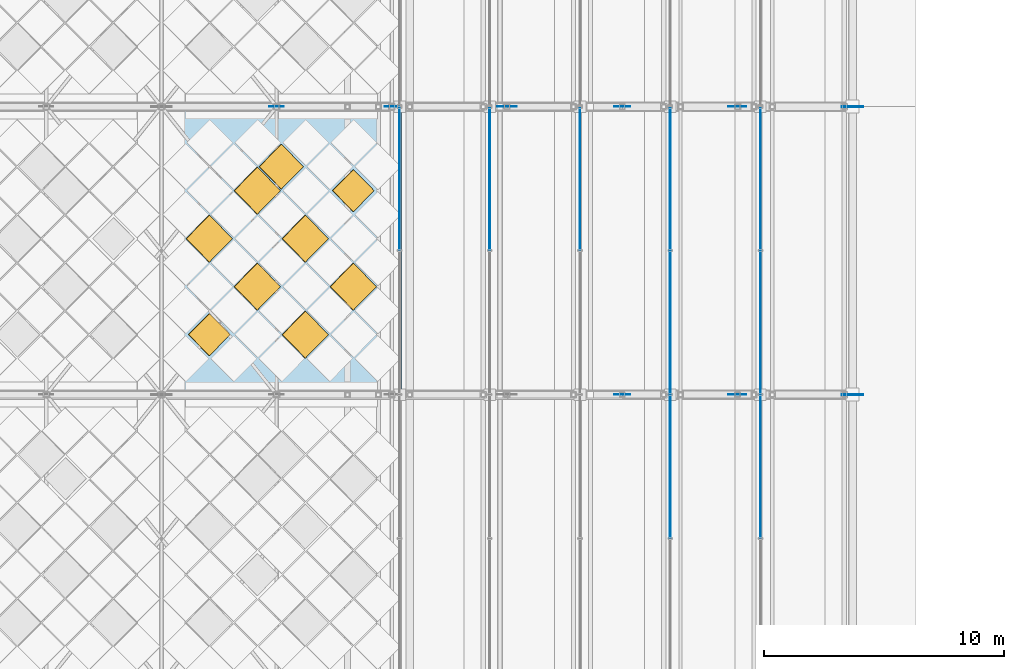
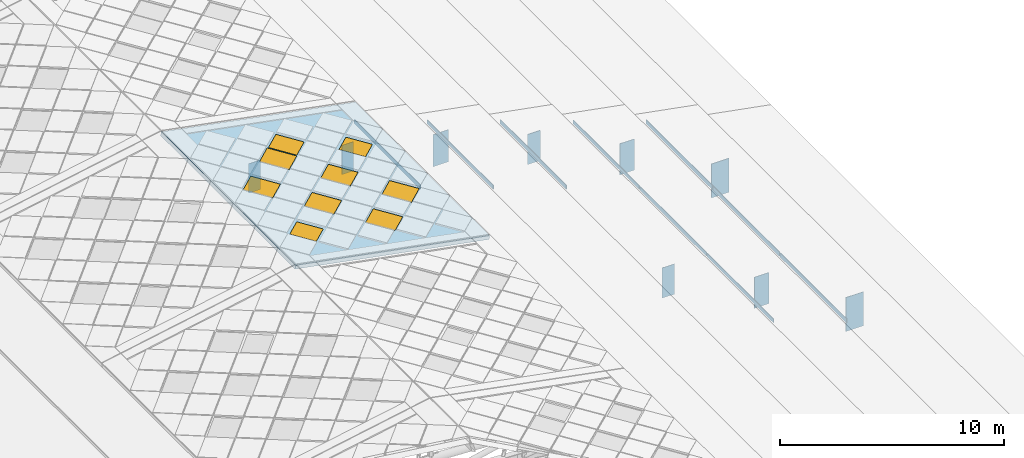
# One storey, part 92 of 117: 18 plates, 9 windows, 1 slab, 9 openings, 5 elements without a shape of their own.
"""IFC4 building model written with IfcOpenShell, lengths in metres."""

from ifc_helpers import new_model, si_unit, direction, frame, origin, origin_2d, place, context, subcontext, project, spatial, polyline, rectangle, outline, extrude, material, layer, layer_set, type_object, element, fill, aggregate, save


model = new_model("IFC4")

# Units and contexts
model_context = context("Model", 3, precision=1e-05, world=origin(), true_north=direction((0.0, 1.0)))
body_context = subcontext(model_context, "Body", "Model", "MODEL_VIEW")
ifc_project = project(units=[si_unit("LENGTHUNIT", "METRE"), si_unit("AREAUNIT", "SQUARE_METRE"), si_unit("VOLUMEUNIT", "CUBIC_METRE"), si_unit("PLANEANGLEUNIT", "RADIAN"), si_unit("MASSUNIT", "GRAM", prefix="KILO")], contexts=[model_context])

# Site, building, storey
site_placement = place(None, origin())
site = spatial("IfcSite", under=ifc_project, at=site_placement, CompositionType="ELEMENT")
building_placement = place(site_placement, origin())
building = spatial("IfcBuilding", under=site, at=building_placement, Name="Merenkruunu Market Hall", CompositionType="ELEMENT")
storey_placement = place(building_placement, frame((0.0, 0.0, 22.800048828125)))
storey = spatial("IfcBuildingStorey", under=building, at=storey_placement, Name="RF", CompositionType="ELEMENT", Elevation=22.800048828125)

# Curtain wall, plates
ifc_material_1 = material(Name="Powder-coated aluminium", Category="aluminium")
curtain_wall_type = type_object("IfcCurtainWallType", Name="Clerestory Curtain Band CL05", PredefinedType="USERDEFINED", material=ifc_material_1)
curtain_wall_1_placement = place(storey_placement, origin())
curtain_wall_1 = element("IfcCurtainWall", 1, at=curtain_wall_1_placement, inside=storey, type_object=curtain_wall_type, Name="CW-RF-CWM04-084", ObjectType="CLERESTORY_BAND", PredefinedType="USERDEFINED")
ifc_material_2 = material(Name="Triple low-E insulated glass", Category="glass")
ifc_layer_1 = layer(ifc_material_2, 0.035888671875)
ifc_layer_set_1 = layer_set([ifc_layer_1], Name="Triple low-E insulated glass")
plate_type_1 = type_object("IfcPlateType", Name="Curtain Wall Glazing Panel CWP08", PredefinedType="CURTAIN_PANEL", material=ifc_layer_set_1)
plate_1_placement = place(storey_placement, frame((53.760009765625, 60.58251953125, -6.462158203125), z_axis=(0.0, 0.0, 1.0), x_axis=(0.0, -1.0, 0.0)))
plate_1 = element("IfcPlate", 2, at=plate_1_placement, type_object=plate_type_1, Name="CL05 panel 1.1", PredefinedType="CURTAIN_PANEL", context=body_context, shape_type="SweptSolid", body=[
    extrude(rectangle(XDim=5.89501953125, YDim=0.035888671875, at=origin_2d()), origin(), (0.0, 0.0, 1.0), 0.22802734375),
])
plate_2_placement = place(storey_placement, frame((53.760009765625, 54.60009765625, -6.462158203125), z_axis=(0.0, 0.0, 1.0), x_axis=(0.0, -1.0, 0.0)))
plate_2 = element("IfcPlate", 3, at=plate_2_placement, type_object=plate_type_1, Name="CL05 panel 2.1", PredefinedType="CURTAIN_PANEL", context=body_context, shape_type="SweptSolid", body=[
    extrude(rectangle(XDim=5.929931640625, YDim=0.035888671875, at=origin_2d()), origin(), (0.0, 0.0, 1.0), 0.22802734375),
])
plate_3_placement = place(storey_placement, frame((53.760009765625, 48.60009765625, -6.462158203125), z_axis=(0.0, 0.0, 1.0), x_axis=(0.0, -1.0, 0.0)))
plate_3 = element("IfcPlate", 4, at=plate_3_placement, type_object=plate_type_1, Name="CL05 panel 3.1", PredefinedType="CURTAIN_PANEL", context=body_context, shape_type="SweptSolid", body=[
    extrude(rectangle(XDim=5.929931640625, YDim=0.035888671875, at=origin_2d()), origin(), (0.0, 0.0, 1.0), 0.22802734375),
])
aggregate(curtain_wall_1, [plate_1, plate_2, plate_3])

curtain_wall_2_placement = place(storey_placement, origin())
curtain_wall_2 = element("IfcCurtainWall", 5, at=curtain_wall_2_placement, inside=storey, type_object=curtain_wall_type, Name="CW-RF-CWM04-092", ObjectType="CLERESTORY_BAND", PredefinedType="USERDEFINED")
plate_4_placement = place(storey_placement, frame((50.0, 60.58251953125, -5.14208984375), z_axis=(0.0, 0.0, 1.0), x_axis=(0.0, -1.0, 0.0)))
plate_4 = element("IfcPlate", 6, at=plate_4_placement, type_object=plate_type_1, Name="CL05 panel 1.1", PredefinedType="CURTAIN_PANEL", context=body_context, shape_type="SweptSolid", body=[
    extrude(rectangle(XDim=5.89501953125, YDim=0.035888671875, at=origin_2d()), origin(), (0.0, 0.0, 1.0), 0.20703125),
])
plate_5_placement = place(storey_placement, frame((50.0, 54.60009765625, -5.14208984375), z_axis=(0.0, 0.0, 1.0), x_axis=(0.0, -1.0, 0.0)))
plate_5 = element("IfcPlate", 7, at=plate_5_placement, type_object=plate_type_1, Name="CL05 panel 2.1", PredefinedType="CURTAIN_PANEL", context=body_context, shape_type="SweptSolid", body=[
    extrude(rectangle(XDim=5.929931640625, YDim=0.035888671875, at=origin_2d()), origin(), (0.0, 0.0, 1.0), 0.20703125),
])
plate_6_placement = place(storey_placement, frame((50.0, 48.60009765625, -5.14208984375), z_axis=(0.0, 0.0, 1.0), x_axis=(0.0, -1.0, 0.0)))
plate_6 = element("IfcPlate", 8, at=plate_6_placement, type_object=plate_type_1, Name="CL05 panel 3.1", PredefinedType="CURTAIN_PANEL", context=body_context, shape_type="SweptSolid", body=[
    extrude(rectangle(XDim=5.929931640625, YDim=0.035888671875, at=origin_2d()), origin(), (0.0, 0.0, 1.0), 0.20703125),
])
aggregate(curtain_wall_2, [plate_4, plate_5, plate_6])

# Curtain wall, plate
curtain_wall_3_placement = place(storey_placement, origin())
curtain_wall_3 = element("IfcCurtainWall", 9, at=curtain_wall_3_placement, inside=storey, type_object=curtain_wall_type, Name="CW-RF-CWM04-100", ObjectType="CLERESTORY_BAND", PredefinedType="USERDEFINED")
plate_7_placement = place(storey_placement, frame((46.239990234375, 60.58251953125, -3.822021484375), z_axis=(0.0, 0.0, 1.0), x_axis=(0.0, -1.0, 0.0)))
plate_7 = element("IfcPlate", 10, at=plate_7_placement, type_object=plate_type_1, Name="CL05 panel 1.1", PredefinedType="CURTAIN_PANEL", context=body_context, shape_type="SweptSolid", body=[
    extrude(rectangle(XDim=5.89501953125, YDim=0.035888671875, at=origin_2d()), origin(), (0.0, 0.0, 1.0), 0.22802734375),
])
aggregate(curtain_wall_3, [plate_7])

curtain_wall_4_placement = place(storey_placement, origin())
curtain_wall_4 = element("IfcCurtainWall", 11, at=curtain_wall_4_placement, inside=storey, type_object=curtain_wall_type, Name="CW-RF-CWM04-108", ObjectType="CLERESTORY_BAND", PredefinedType="USERDEFINED")
plate_8_placement = place(storey_placement, frame((42.47998046875, 60.58251953125, -2.501953125), z_axis=(0.0, 0.0, 1.0), x_axis=(0.0, -1.0, 0.0)))
plate_8 = element("IfcPlate", 12, at=plate_8_placement, type_object=plate_type_1, Name="CL05 panel 1.1", PredefinedType="CURTAIN_PANEL", context=body_context, shape_type="SweptSolid", body=[
    extrude(rectangle(XDim=5.89501953125, YDim=0.035888671875, at=origin_2d()), origin(), (0.0, 0.0, 1.0), 0.20703125),
])
aggregate(curtain_wall_4, [plate_8])

curtain_wall_5_placement = place(storey_placement, origin())
curtain_wall_5 = element("IfcCurtainWall", 13, at=curtain_wall_5_placement, inside=storey, type_object=curtain_wall_type, Name="CW-RF-CWM04-116", ObjectType="CLERESTORY_BAND", PredefinedType="USERDEFINED")
plate_9_placement = place(storey_placement, frame((38.719970703125, 60.58251953125, -1.18212890625), z_axis=(0.0, 0.0, 1.0), x_axis=(0.0, -1.0, 0.0)))
plate_9 = element("IfcPlate", 14, at=plate_9_placement, type_object=plate_type_1, Name="CL05 panel 1.1", PredefinedType="CURTAIN_PANEL", context=body_context, shape_type="SweptSolid", body=[
    extrude(rectangle(XDim=5.89501953125, YDim=0.035888671875, at=origin_2d()), origin(), (0.0, 0.0, 1.0), 0.22802734375),
])
aggregate(curtain_wall_5, [plate_9])

# Slab, openings, windows
ifc_material_3 = material(Name="High-albedo white roof Steel S355ML", Category="steel")
ifc_layer_2 = layer(ifc_material_3, 0.199951171875)
ifc_layer_set_2 = layer_set([ifc_layer_2], Name="High-albedo white roof Steel S355ML")
slab_type = type_object("IfcSlabType", Name="Sloped Or Flat Roof Deck RS01", PredefinedType="ROOF", material=ifc_layer_set_2)
slab_placement = place(storey_placement, frame((28.800048828125, 51.60009765625, 1.800048828125), z_axis=(0.184775267092, 0.0, 0.98278079991), x_axis=(0.98278079991, 0.0, -0.184775267092)))
slab = element("IfcSlab", 15, at=slab_placement, inside=storey, type_object=slab_type, Name="SL-ROOF-V1-CROWN-E-04", PredefinedType="ROOF", context=body_context, shape_type="SweptSolid", body=[
    extrude(outline(polyline([(0.0, 0.0), (10.175208959027184, 0.0), (10.175208959027184, 12.0), (0.0, 12.0), (0.0, 0.0)])), origin(), (0.0, 0.0, -1.0), 0.199951171875),
])
opening_1_placement = place(slab_placement, frame((2.034912109375, 2.5, 0.0), z_axis=(0.0, 0.0, 1.0), x_axis=(0.707106781187, 0.707106781187, 0.0)))
opening_1 = element("IfcOpeningElement", 16, at=opening_1_placement, cuts=slab, Name="Opening SK03", PredefinedType="OPENING", context=body_context, shape_type="SweptSolid", body=[
    extrude(rectangle(XDim=1.239990234375, YDim=1.239990234375, at=origin_2d()), frame((0.0, 0.0, 0.014892578125), z_axis=(0.0, 0.0, -1.0), x_axis=(1.0, 0.0, 0.0)), (0.0, 0.0, 1.0), 0.229736328125),
])
opening_2_placement = place(slab_placement, frame((2.034912109375, 6.5, 0.0), z_axis=(0.0, 0.0, 1.0), x_axis=(0.707106781187, 0.707106781187, 0.0)))
opening_2 = element("IfcOpeningElement", 17, at=opening_2_placement, cuts=slab, Name="Opening SK01", PredefinedType="OPENING", context=body_context, shape_type="SweptSolid", body=[
    extrude(rectangle(XDim=1.3798828125, YDim=1.3798828125, at=origin_2d()), frame((0.0, 0.0, 0.014892578125), z_axis=(0.0, 0.0, -1.0), x_axis=(1.0, 0.0, 0.0)), (0.0, 0.0, 1.0), 0.229736328125),
])
opening_3_placement = place(slab_placement, frame((4.070068359375, 4.5, -0.000244140625), z_axis=(0.0, 0.0, 1.0), x_axis=(0.707106781187, 0.707106781187, 0.0)))
opening_3 = element("IfcOpeningElement", 18, at=opening_3_placement, cuts=slab, Name="Opening SK01", PredefinedType="OPENING", context=body_context, shape_type="SweptSolid", body=[
    extrude(rectangle(XDim=1.3798828125, YDim=1.3798828125, at=origin_2d()), frame((0.0, 0.0, 0.014892578125), z_axis=(0.0, 0.0, -1.0), x_axis=(1.0, 0.0, 0.0)), (0.0, 0.0, 1.0), 0.229736328125),
])
opening_4_placement = place(slab_placement, frame((4.070068359375, 8.5, -0.000244140625), z_axis=(0.0, 0.0, 1.0), x_axis=(0.707106781187, 0.707106781187, 0.0)))
opening_4 = element("IfcOpeningElement", 19, at=opening_4_placement, cuts=slab, Name="Opening SK01", PredefinedType="OPENING", context=body_context, shape_type="SweptSolid", body=[
    extrude(rectangle(XDim=1.3798828125, YDim=1.3798828125, at=origin_2d()), frame((0.0, 0.0, 0.014892578125), z_axis=(0.0, 0.0, -1.0), x_axis=(1.0, 0.0, 0.0)), (0.0, 0.0, 1.0), 0.229736328125),
])
opening_5_placement = place(slab_placement, frame((5.087646484375, 9.5, 0.0), z_axis=(0.0, 0.0, 1.0), x_axis=(0.707106781187, 0.707106781187, 0.0)))
opening_5 = element("IfcOpeningElement", 20, at=opening_5_placement, cuts=slab, Name="Opening SK02", PredefinedType="OPENING", context=body_context, shape_type="SweptSolid", body=[
    extrude(rectangle(XDim=1.320068359375, YDim=1.320068359375, at=origin_2d()), frame((0.0, 0.0, 0.014892578125), z_axis=(0.0, 0.0, -1.0), x_axis=(1.0, 0.0, 0.0)), (0.0, 0.0, 1.0), 0.229736328125),
])
opening_6_placement = place(slab_placement, frame((6.105224609375, 2.5, 0.0), z_axis=(0.0, 0.0, 1.0), x_axis=(0.707106781187, 0.707106781187, 0.0)))
opening_6 = element("IfcOpeningElement", 21, at=opening_6_placement, cuts=slab, Name="Opening SK01", PredefinedType="OPENING", context=body_context, shape_type="SweptSolid", body=[
    extrude(rectangle(XDim=1.3798828125, YDim=1.3798828125, at=origin_2d()), frame((0.0, 0.0, 0.014892578125), z_axis=(0.0, 0.0, -1.0), x_axis=(1.0, 0.0, 0.0)), (0.0, 0.0, 1.0), 0.229736328125),
])
opening_7_placement = place(slab_placement, frame((6.105224609375, 6.5, 0.0), z_axis=(0.0, 0.0, 1.0), x_axis=(0.707106781187, 0.707106781187, 0.0)))
opening_7 = element("IfcOpeningElement", 22, at=opening_7_placement, cuts=slab, Name="Opening SK01", PredefinedType="OPENING", context=body_context, shape_type="SweptSolid", body=[
    extrude(rectangle(XDim=1.3798828125, YDim=1.3798828125, at=origin_2d()), frame((0.0, 0.0, 0.014892578125), z_axis=(0.0, 0.0, -1.0), x_axis=(1.0, 0.0, 0.0)), (0.0, 0.0, 1.0), 0.229736328125),
])
opening_8_placement = place(slab_placement, frame((8.14013671875, 4.5, 0.0), z_axis=(0.0, 0.0, 1.0), x_axis=(0.707106781187, 0.707106781187, 0.0)))
opening_8 = element("IfcOpeningElement", 23, at=opening_8_placement, cuts=slab, Name="Opening SK01", PredefinedType="OPENING", context=body_context, shape_type="SweptSolid", body=[
    extrude(rectangle(XDim=1.3798828125, YDim=1.3798828125, at=origin_2d()), frame((0.0, 0.0, 0.014892578125), z_axis=(0.0, 0.0, -1.0), x_axis=(1.0, 0.0, 0.0)), (0.0, 0.0, 1.0), 0.229736328125),
])
opening_9_placement = place(slab_placement, frame((8.14013671875, 8.5, 0.0), z_axis=(0.0, 0.0, 1.0), x_axis=(0.707106781187, 0.707106781187, 0.0)))
opening_9 = element("IfcOpeningElement", 24, at=opening_9_placement, cuts=slab, Name="Opening SK03", PredefinedType="OPENING", context=body_context, shape_type="SweptSolid", body=[
    extrude(rectangle(XDim=1.239990234375, YDim=1.239990234375, at=origin_2d()), frame((0.0, 0.0, 0.014892578125), z_axis=(0.0, 0.0, -1.0), x_axis=(1.0, 0.0, 0.0)), (0.0, 0.0, 1.0), 0.229736328125),
])
ifc_material_4 = material(Name="Diamond skylight blue triple glass", Category="glass")
ifc_layer_3 = layer(ifc_material_4, 0.094970703125)
ifc_layer_set_3 = layer_set([ifc_layer_3], Name="Diamond skylight blue triple glass")
window_type_1 = type_object("IfcWindowType", Name="Diamond Roof Skylight SK01", PartitioningType="SINGLE_PANEL", PredefinedType="SKYLIGHT", material=ifc_layer_set_3)
window_1_placement = place(opening_2_placement, origin())
window_1 = element("IfcWindow", 25, at=window_1_placement, inside=storey, type_object=window_type_1, Name="SKY-CROWN-065", OverallHeight=1.3798828125, OverallWidth=1.3798828125, PartitioningType="SINGLE_PANEL", PredefinedType="SKYLIGHT", context=body_context, shape_type="SweptSolid", body=[
    extrude(rectangle(XDim=1.3798828125, YDim=1.3798828125, at=origin_2d()), frame((0.0, 0.0, 0.0), z_axis=(0.0, 0.0, -1.0), x_axis=(1.0, 0.0, 0.0)), (0.0, 0.0, 1.0), 0.094970703125),
])
fill(opening_2, window_1)
window_2_placement = place(opening_3_placement, origin())
window_2 = element("IfcWindow", 26, at=window_2_placement, inside=storey, type_object=window_type_1, Name="SKY-CROWN-066", OverallHeight=1.3798828125, OverallWidth=1.3798828125, PartitioningType="SINGLE_PANEL", PredefinedType="SKYLIGHT", context=body_context, shape_type="SweptSolid", body=[
    extrude(rectangle(XDim=1.3798828125, YDim=1.3798828125, at=origin_2d()), frame((0.0, 0.0, 0.0), z_axis=(0.0, 0.0, -1.0), x_axis=(1.0, 0.0, 0.0)), (0.0, 0.0, 1.0), 0.094970703125),
])
fill(opening_3, window_2)
window_3_placement = place(opening_4_placement, origin())
window_3 = element("IfcWindow", 27, at=window_3_placement, inside=storey, type_object=window_type_1, Name="SKY-CROWN-067", OverallHeight=1.3798828125, OverallWidth=1.3798828125, PartitioningType="SINGLE_PANEL", PredefinedType="SKYLIGHT", context=body_context, shape_type="SweptSolid", body=[
    extrude(rectangle(XDim=1.3798828125, YDim=1.3798828125, at=origin_2d()), frame((0.0, 0.0, 0.0), z_axis=(0.0, 0.0, -1.0), x_axis=(1.0, 0.0, 0.0)), (0.0, 0.0, 1.0), 0.094970703125),
])
fill(opening_4, window_3)
window_4_placement = place(opening_6_placement, origin())
window_4 = element("IfcWindow", 28, at=window_4_placement, inside=storey, type_object=window_type_1, Name="SKY-CROWN-069", OverallHeight=1.3798828125, OverallWidth=1.3798828125, PartitioningType="SINGLE_PANEL", PredefinedType="SKYLIGHT", context=body_context, shape_type="SweptSolid", body=[
    extrude(rectangle(XDim=1.3798828125, YDim=1.3798828125, at=origin_2d()), frame((0.0, 0.0, 0.0), z_axis=(0.0, 0.0, -1.0), x_axis=(1.0, 0.0, 0.0)), (0.0, 0.0, 1.0), 0.094970703125),
])
fill(opening_6, window_4)
window_5_placement = place(opening_7_placement, origin())
window_5 = element("IfcWindow", 29, at=window_5_placement, inside=storey, type_object=window_type_1, Name="SKY-CROWN-070", OverallHeight=1.3798828125, OverallWidth=1.3798828125, PartitioningType="SINGLE_PANEL", PredefinedType="SKYLIGHT", context=body_context, shape_type="SweptSolid", body=[
    extrude(rectangle(XDim=1.3798828125, YDim=1.3798828125, at=origin_2d()), frame((0.0, 0.0, 0.0), z_axis=(0.0, 0.0, -1.0), x_axis=(1.0, 0.0, 0.0)), (0.0, 0.0, 1.0), 0.094970703125),
])
fill(opening_7, window_5)
window_6_placement = place(opening_8_placement, origin())
window_6 = element("IfcWindow", 30, at=window_6_placement, inside=storey, type_object=window_type_1, Name="SKY-CROWN-071", OverallHeight=1.3798828125, OverallWidth=1.3798828125, PartitioningType="SINGLE_PANEL", PredefinedType="SKYLIGHT", context=body_context, shape_type="SweptSolid", body=[
    extrude(rectangle(XDim=1.3798828125, YDim=1.3798828125, at=origin_2d()), frame((0.0, 0.0, 0.0), z_axis=(0.0, 0.0, -1.0), x_axis=(1.0, 0.0, 0.0)), (0.0, 0.0, 1.0), 0.094970703125),
])
fill(opening_8, window_6)
ifc_layer_4 = layer(ifc_material_4, 0.094970703125)
ifc_layer_set_4 = layer_set([ifc_layer_4], Name="Diamond skylight blue triple glass")
window_type_2 = type_object("IfcWindowType", Name="Diamond Roof Skylight SK02", PartitioningType="SINGLE_PANEL", PredefinedType="SKYLIGHT", material=ifc_layer_set_4)
window_7_placement = place(opening_5_placement, origin())
window_7 = element("IfcWindow", 31, at=window_7_placement, inside=storey, type_object=window_type_2, Name="SKY-CROWN-068", OverallHeight=1.320068359375, OverallWidth=1.320068359375, PartitioningType="SINGLE_PANEL", PredefinedType="SKYLIGHT", context=body_context, shape_type="SweptSolid", body=[
    extrude(rectangle(XDim=1.320068359375, YDim=1.320068359375, at=origin_2d()), frame((0.0, 0.0, 0.0), z_axis=(0.0, 0.0, -1.0), x_axis=(1.0, 0.0, 0.0)), (0.0, 0.0, 1.0), 0.094970703125),
])
fill(opening_5, window_7)
ifc_layer_5 = layer(ifc_material_4, 0.094970703125)
ifc_layer_set_5 = layer_set([ifc_layer_5], Name="Diamond skylight blue triple glass")
window_type_3 = type_object("IfcWindowType", Name="Roof Smoke Vent Skylight SK03", PartitioningType="SINGLE_PANEL", PredefinedType="SKYLIGHT", material=ifc_layer_set_5)
window_8_placement = place(opening_1_placement, origin())
window_8 = element("IfcWindow", 32, at=window_8_placement, inside=storey, type_object=window_type_3, Name="SKY-CROWN-064", OverallHeight=1.239990234375, OverallWidth=1.239990234375, PartitioningType="SINGLE_PANEL", PredefinedType="SKYLIGHT", context=body_context, shape_type="SweptSolid", body=[
    extrude(rectangle(XDim=1.239990234375, YDim=1.239990234375, at=origin_2d()), frame((0.0, 0.0, 0.0), z_axis=(0.0, 0.0, -1.0), x_axis=(1.0, 0.0, 0.0)), (0.0, 0.0, 1.0), 0.094970703125),
])
fill(opening_1, window_8)
window_9_placement = place(opening_9_placement, origin())
window_9 = element("IfcWindow", 33, at=window_9_placement, inside=storey, type_object=window_type_3, Name="SKY-CROWN-072", OverallHeight=1.239990234375, OverallWidth=1.239990234375, PartitioningType="SINGLE_PANEL", PredefinedType="SKYLIGHT", context=body_context, shape_type="SweptSolid", body=[
    extrude(rectangle(XDim=1.239990234375, YDim=1.239990234375, at=origin_2d()), frame((0.0, 0.0, 0.0), z_axis=(0.0, 0.0, -1.0), x_axis=(1.0, 0.0, 0.0)), (0.0, 0.0, 1.0), 0.094970703125),
])
fill(opening_9, window_9)

# Plates
ifc_material_5 = material(Name="Steel S355ML", Category="steel")
ifc_layer_6 = layer(ifc_material_5, 0.030029296875)
ifc_layer_set_6 = layer_set([ifc_layer_6], Name="Steel S355ML")
plate_type_2 = type_object("IfcPlateType", Name="Truss Gusset Or Cap Plate TN01", PredefinedType="USERDEFINED", material=ifc_layer_set_6)
for number, where, z_axis, x_axis, name in (
    (34, (57.60009765625, 51.60009765625, -11.72509765625), (0.0, 0.0, 1.0), (1.0, 0.0, 0.0), "PLT-AT-4-NODE-12"),
    (35, (57.60009765625, 63.60009765625, -11.72509765625), (0.0, 0.0, 1.0), (1.0, 0.0, 0.0), "PLT-AT-5-NODE-12"),
):
    element("IfcPlate", number, at=place(storey_placement, frame(where, z_axis=z_axis, x_axis=x_axis)), inside=storey, type_object=plate_type_2, Name=name, ObjectType="GUSSET_PLATE", PredefinedType="USERDEFINED", context=body_context, shape_type="SweptSolid", body=[
        extrude(rectangle(XDim=0.89990234375, YDim=0.030029296875, at=origin_2d()), origin(), (0.0, 0.0, 1.0), 1.85009765625),
    ])
ifc_layer_7 = layer(ifc_material_5, 0.02490234375)
ifc_layer_set_7 = layer_set([ifc_layer_7], Name="Steel S355ML")
plate_type_3 = type_object("IfcPlateType", Name="Truss Gusset Or Cap Plate TN02", PredefinedType="USERDEFINED", material=ifc_layer_set_7)
for number, where, z_axis, x_axis, name in (
    (36, (52.800048828125, 51.60009765625, -8.81591796875), (0.0, 0.0, 1.0), (1.0, 0.0, 0.0), "PLT-AT-4-NODE-11"),
    (37, (52.800048828125, 63.60009765625, -8.81591796875), (0.0, 0.0, 1.0), (1.0, 0.0, 0.0), "PLT-AT-5-NODE-11"),
):
    element("IfcPlate", number, at=place(storey_placement, frame(where, z_axis=z_axis, x_axis=x_axis)), inside=storey, type_object=plate_type_3, Name=name, ObjectType="GUSSET_PLATE", PredefinedType="USERDEFINED", context=body_context, shape_type="SweptSolid", body=[
        extrude(rectangle(XDim=0.75, YDim=0.02490234375, at=origin_2d()), origin(), (0.0, 0.0, 1.0), 1.699951171875),
    ])
ifc_layer_8 = layer(ifc_material_5, 0.02490234375)
ifc_layer_set_8 = layer_set([ifc_layer_8], Name="Steel S355ML")
plate_type_4 = type_object("IfcPlateType", Name="Truss Gusset Or Cap Plate TN03", PredefinedType="USERDEFINED", material=ifc_layer_set_8)
for number, where, z_axis, x_axis, name in (
    (38, (48.0, 51.60009765625, -6.595947265625), (0.0, 0.0, 1.0), (1.0, 0.0, 0.0), "PLT-AT-4-NODE-10"),
    (39, (48.0, 63.60009765625, -6.595947265625), (0.0, 0.0, 1.0), (1.0, 0.0, 0.0), "PLT-AT-5-NODE-10"),
):
    element("IfcPlate", number, at=place(storey_placement, frame(where, z_axis=z_axis, x_axis=x_axis)), inside=storey, type_object=plate_type_4, Name=name, ObjectType="GUSSET_PLATE", PredefinedType="USERDEFINED", context=body_context, shape_type="SweptSolid", body=[
        extrude(rectangle(XDim=0.64990234375, YDim=0.02490234375, at=origin_2d()), origin(), (0.0, 0.0, 1.0), 1.64990234375),
    ])
ifc_layer_9 = layer(ifc_material_5, 0.028076171875)
ifc_layer_set_9 = layer_set([ifc_layer_9], Name="Steel S355ML")
plate_type_5 = type_object("IfcPlateType", Name="Truss Gusset Or Cap Plate TN04", PredefinedType="USERDEFINED", material=ifc_layer_set_9)
plate_10_placement = place(storey_placement, frame((43.199951171875, 63.60009765625, -5.005126953125), z_axis=(0.0, 0.0, 1.0), x_axis=(1.0, 0.0, 0.0)))
element("IfcPlate", 40, at=plate_10_placement, inside=storey, type_object=plate_type_5, Name="PLT-AT-5-NODE-09", ObjectType="GUSSET_PLATE", PredefinedType="USERDEFINED", context=body_context, shape_type="SweptSolid", body=[
    extrude(rectangle(XDim=0.800048828125, YDim=0.028076171875, at=origin_2d()), origin(), (0.0, 0.0, 1.0), 1.75),
])
ifc_layer_10 = layer(ifc_material_5, 0.02197265625)
ifc_layer_set_10 = layer_set([ifc_layer_10], Name="Steel S355ML")
plate_type_6 = type_object("IfcPlateType", Name="Truss Gusset Or Cap Plate TN05", PredefinedType="USERDEFINED", material=ifc_layer_set_10)
for number, where, z_axis, x_axis, name in (
    (41, (33.60009765625, 63.60009765625, -3.1181640625), (0.0, 0.0, 1.0), (1.0, 0.0, 0.0), "PLT-AT-5-NODE-07"),
    (42, (38.39990234375, 63.60009765625, -3.7900390625), (0.0, 0.0, 1.0), (1.0, 0.0, 0.0), "PLT-AT-5-NODE-08"),
):
    element("IfcPlate", number, at=place(storey_placement, frame(where, z_axis=z_axis, x_axis=x_axis)), inside=storey, type_object=plate_type_6, Name=name, ObjectType="GUSSET_PLATE", PredefinedType="USERDEFINED", context=body_context, shape_type="SweptSolid", body=[
        extrude(rectangle(XDim=0.60009765625, YDim=0.02197265625, at=origin_2d()), origin(), (0.0, 0.0, 1.0), 1.60009765625),
    ])

save(model, "model.ifc")
